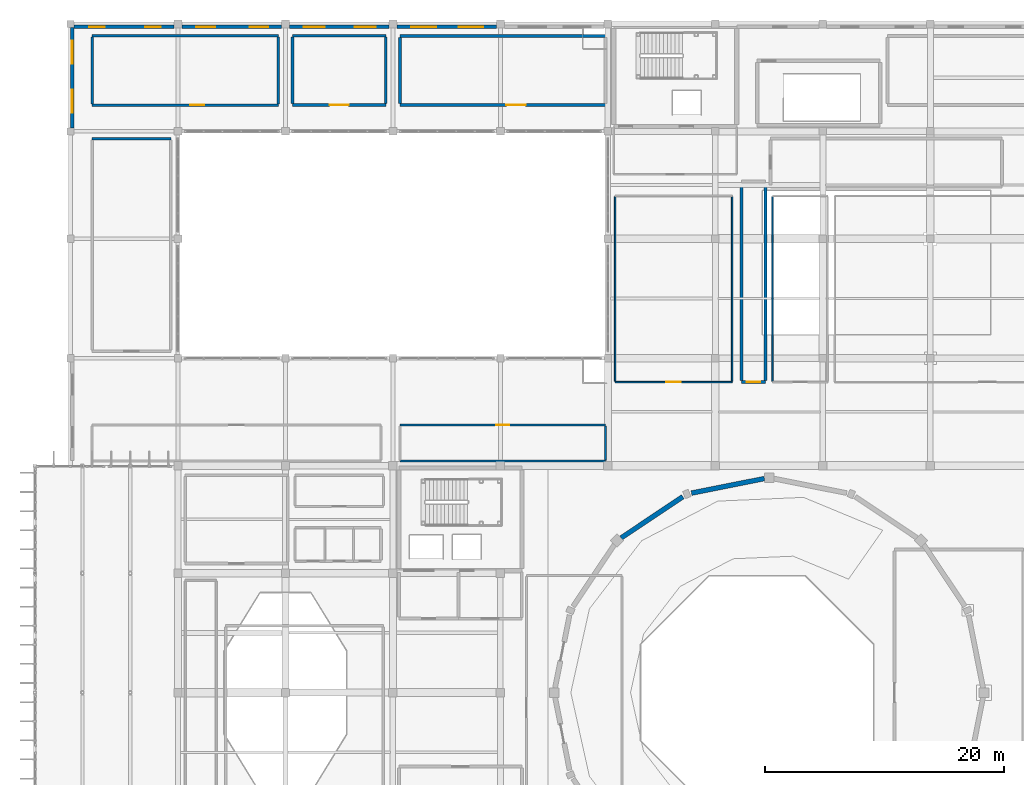
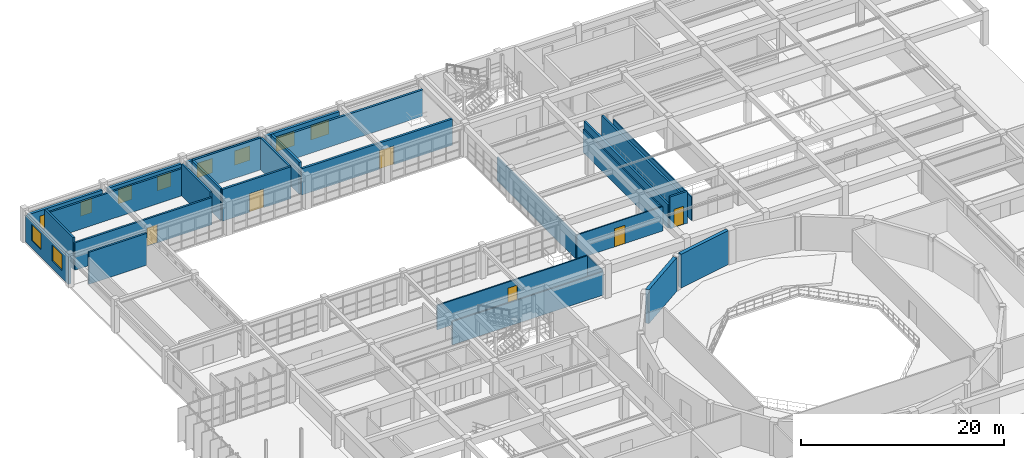
# One storey, part 97 of 110: 29 walls, 10 windows, 6 doors, 16 openings.
"""IFC4 building model written with IfcOpenShell, lengths in metres."""

from ifc_helpers import new_model, si_unit, direction, frame, frame_2d, origin, place, context, subcontext, project, spatial, rectangle, extrude, material, layer, layer_set, type_object, element, fill, save


model = new_model("IFC4")

# Units and contexts
model_context = context("Model", 3, precision=1e-05, world=origin(), true_north=direction((0.0, 1.0)))
body_context = subcontext(model_context, "Body", "Model", "MODEL_VIEW")
ifc_project = project(units=[si_unit("LENGTHUNIT", "METRE"), si_unit("AREAUNIT", "SQUARE_METRE"), si_unit("VOLUMEUNIT", "CUBIC_METRE"), si_unit("PLANEANGLEUNIT", "RADIAN"), si_unit("MASSUNIT", "GRAM", prefix="KILO")], contexts=[model_context])

# Site, building, storey
site_placement = place(None, origin())
site = spatial("IfcSite", under=ifc_project, at=site_placement, CompositionType="ELEMENT")
building_placement = place(site_placement, origin())
building = spatial("IfcBuilding", under=site, at=building_placement, Name="Miravela Opera House", CompositionType="ELEMENT")
storey_placement = place(building_placement, frame((0.0, 0.0, 13.60009765625)))
storey = spatial("IfcBuildingStorey", under=building, at=storey_placement, Name="L03", CompositionType="ELEMENT", Elevation=13.60009765625)

# Wall, openings, windows
ifc_material_1 = material(Name="Insulated cream lime-stuccoed masonry", Category="masonry")
ifc_layer_1 = layer(ifc_material_1, 0.2900390625)
ifc_layer_set_1 = layer_set([ifc_layer_1])
wall_type_1 = type_object("IfcWallType", Name="ARC-EW-STUCCO-290", PredefinedType="STANDARD", material=ifc_layer_set_1)
wall_1_placement = place(storey_placement, frame((18.300048828125, 111.75, 0.0), z_axis=(0.0, 0.0, 1.0), x_axis=(1.0, 0.0, 0.0)))
wall_1 = element("IfcWall", 1, at=wall_1_placement, inside=storey, type_object=wall_type_1, Name="Spanish Colonial Stucco Facade Wall L03-033", PredefinedType="STANDARD", context=body_context, shape_type="SweptSolid", body=[
    extrude(rectangle(XDim=8.375, YDim=0.2900390625, at=frame_2d((4.1875, 0.0))), origin(), (0.0, 0.0, 1.0), 3.27685546875),
])
opening_1_placement = place(wall_1_placement, frame((1.25, 0.0, 0.89990234375)))
opening_1 = element("IfcOpeningElement", 2, at=opening_1_placement, cuts=wall_1, Name="Opening W-30", PredefinedType="OPENING", context=body_context, shape_type="SweptSolid", body=[
    extrude(rectangle(XDim=1.300048828125, YDim=1.719970703125, at=frame_2d((0.64990234375, 0.85986328125))), frame((0.0, 0.155029296875, 0.0), z_axis=(0.0, -1.0, 0.0), x_axis=(1.0, 0.0, 0.0)), (0.0, 0.0, 1.0), 0.31005859375),
])
opening_2_placement = place(wall_1_placement, frame((5.97509765625, 0.0, 0.89990234375)))
opening_2 = element("IfcOpeningElement", 3, at=opening_2_placement, cuts=wall_1, Name="Opening W-30", PredefinedType="OPENING", context=body_context, shape_type="SweptSolid", body=[
    extrude(rectangle(XDim=1.300048828125, YDim=1.719970703125, at=frame_2d((0.64990234375, 0.85986328125))), frame((0.0, 0.155029296875, 0.0), z_axis=(0.0, -1.0, 0.0), x_axis=(1.0, 0.0, 0.0)), (0.0, 0.0, 1.0), 0.31005859375),
])
ifc_material_2 = material(Name="Bronze-anodised aluminium and acoustic low-E glass", Category="aluminium")
window_type_1 = type_object("IfcWindowType", Name="ARC-WIN-30", PartitioningType="SINGLE_PANEL", PredefinedType="WINDOW", material=ifc_material_2)
window_1_placement = place(opening_1_placement, origin())
window_1 = element("IfcWindow", 4, at=window_1_placement, inside=storey, type_object=window_type_1, Name="Window W-30 #087", OverallHeight=1.719970703125, OverallWidth=1.300048828125, PartitioningType="SINGLE_PANEL", PredefinedType="WINDOW", context=body_context, shape_type="SweptSolid", body=[
    extrude(rectangle(XDim=1.300048828125, YDim=1.719970703125, at=frame_2d((0.64990234375, 0.85986328125))), frame((0.0, 0.030029296875, 0.0), z_axis=(0.0, -1.0, 0.0), x_axis=(1.0, 0.0, 0.0)), (0.0, 0.0, 1.0), 0.06005859375),
])
fill(opening_1, window_1)
window_2_placement = place(opening_2_placement, origin())
window_2 = element("IfcWindow", 5, at=window_2_placement, inside=storey, type_object=window_type_1, Name="Window W-30 #088", OverallHeight=1.719970703125, OverallWidth=1.300048828125, PartitioningType="SINGLE_PANEL", PredefinedType="WINDOW", context=body_context, shape_type="SweptSolid", body=[
    extrude(rectangle(XDim=1.300048828125, YDim=1.719970703125, at=frame_2d((0.64990234375, 0.85986328125))), frame((0.0, 0.030029296875, 0.0), z_axis=(0.0, -1.0, 0.0), x_axis=(1.0, 0.0, 0.0)), (0.0, 0.0, 1.0), 0.06005859375),
])
fill(opening_2, window_2)

wall_2_placement = place(storey_placement, frame((27.324951171875, 111.75, 0.0), z_axis=(0.0, 0.0, 1.0), x_axis=(1.0, 0.0, 0.0)))
wall_2 = element("IfcWall", 6, at=wall_2_placement, inside=storey, type_object=wall_type_1, Name="Spanish Colonial Stucco Facade Wall L03-034", PredefinedType="STANDARD", context=body_context, shape_type="SweptSolid", body=[
    extrude(rectangle(XDim=8.35009765625, YDim=0.2900390625, at=frame_2d((4.175048828125, 0.0))), origin(), (0.0, 0.0, 1.0), 3.27685546875),
])
opening_3_placement = place(wall_2_placement, frame((1.22509765625, 0.0, 0.89990234375)))
opening_3 = element("IfcOpeningElement", 7, at=opening_3_placement, cuts=wall_2, Name="Opening W-31", PredefinedType="OPENING", context=body_context, shape_type="SweptSolid", body=[
    extrude(rectangle(XDim=1.56005859375, YDim=1.719970703125, at=frame_2d((0.780029296875, 0.85986328125))), frame((0.0, 0.155029296875, 0.0), z_axis=(0.0, -1.0, 0.0), x_axis=(1.0, 0.0, 0.0)), (0.0, 0.0, 1.0), 0.31005859375),
])
opening_4_placement = place(wall_2_placement, frame((5.68994140625, 0.0, 0.89990234375)))
opening_4 = element("IfcOpeningElement", 8, at=opening_4_placement, cuts=wall_2, Name="Opening W-31", PredefinedType="OPENING", context=body_context, shape_type="SweptSolid", body=[
    extrude(rectangle(XDim=1.56005859375, YDim=1.719970703125, at=frame_2d((0.780029296875, 0.85986328125))), frame((0.0, 0.155029296875, 0.0), z_axis=(0.0, -1.0, 0.0), x_axis=(1.0, 0.0, 0.0)), (0.0, 0.0, 1.0), 0.31005859375),
])
window_type_2 = type_object("IfcWindowType", Name="ARC-WIN-31", PartitioningType="DOUBLE_PANEL_VERTICAL", PredefinedType="WINDOW", material=ifc_material_2)
window_3_placement = place(opening_3_placement, origin())
window_3 = element("IfcWindow", 9, at=window_3_placement, inside=storey, type_object=window_type_2, Name="Window W-31 #089", OverallHeight=1.719970703125, OverallWidth=1.56005859375, PartitioningType="DOUBLE_PANEL_VERTICAL", PredefinedType="WINDOW", context=body_context, shape_type="SweptSolid", body=[
    extrude(rectangle(XDim=1.56005859375, YDim=1.719970703125, at=frame_2d((0.780029296875, 0.85986328125))), frame((0.0, 0.030029296875, 0.0), z_axis=(0.0, -1.0, 0.0), x_axis=(1.0, 0.0, 0.0)), (0.0, 0.0, 1.0), 0.06005859375),
])
fill(opening_3, window_3)
window_4_placement = place(opening_4_placement, origin())
window_4 = element("IfcWindow", 10, at=window_4_placement, inside=storey, type_object=window_type_2, Name="Window W-31 #090", OverallHeight=1.719970703125, OverallWidth=1.56005859375, PartitioningType="DOUBLE_PANEL_VERTICAL", PredefinedType="WINDOW", context=body_context, shape_type="SweptSolid", body=[
    extrude(rectangle(XDim=1.56005859375, YDim=1.719970703125, at=frame_2d((0.780029296875, 0.85986328125))), frame((0.0, 0.030029296875, 0.0), z_axis=(0.0, -1.0, 0.0), x_axis=(1.0, 0.0, 0.0)), (0.0, 0.0, 1.0), 0.06005859375),
])
fill(opening_4, window_4)

wall_3_placement = place(storey_placement, frame((36.324951171875, 111.75, 0.0), z_axis=(0.0, 0.0, 1.0), x_axis=(1.0, 0.0, 0.0)))
wall_3 = element("IfcWall", 11, at=wall_3_placement, inside=storey, type_object=wall_type_1, Name="Spanish Colonial Stucco Facade Wall L03-035", PredefinedType="STANDARD", context=body_context, shape_type="SweptSolid", body=[
    extrude(rectangle(XDim=8.35009765625, YDim=0.2900390625, at=frame_2d((4.175048828125, 0.0))), origin(), (0.0, 0.0, 1.0), 3.27685546875),
])
opening_5_placement = place(wall_3_placement, frame((1.22509765625, 0.0, 0.89990234375)))
opening_5 = element("IfcOpeningElement", 12, at=opening_5_placement, cuts=wall_3, Name="Opening W-32", PredefinedType="OPENING", context=body_context, shape_type="SweptSolid", body=[
    extrude(rectangle(XDim=1.760009765625, YDim=1.719970703125, at=frame_2d((0.8798828125, 0.85986328125))), frame((0.0, 0.155029296875, 0.0), z_axis=(0.0, -1.0, 0.0), x_axis=(1.0, 0.0, 0.0)), (0.0, 0.0, 1.0), 0.31005859375),
])
opening_6_placement = place(wall_3_placement, frame((5.489990234375, 0.0, 0.89990234375)))
opening_6 = element("IfcOpeningElement", 13, at=opening_6_placement, cuts=wall_3, Name="Opening W-32", PredefinedType="OPENING", context=body_context, shape_type="SweptSolid", body=[
    extrude(rectangle(XDim=1.760009765625, YDim=1.719970703125, at=frame_2d((0.8798828125, 0.85986328125))), frame((0.0, 0.155029296875, 0.0), z_axis=(0.0, -1.0, 0.0), x_axis=(1.0, 0.0, 0.0)), (0.0, 0.0, 1.0), 0.31005859375),
])
window_type_3 = type_object("IfcWindowType", Name="ARC-WIN-32", PartitioningType="DOUBLE_PANEL_VERTICAL", PredefinedType="WINDOW", material=ifc_material_2)
window_5_placement = place(opening_5_placement, origin())
window_5 = element("IfcWindow", 14, at=window_5_placement, inside=storey, type_object=window_type_3, Name="Window W-32 #091", OverallHeight=1.719970703125, OverallWidth=1.760009765625, PartitioningType="DOUBLE_PANEL_VERTICAL", PredefinedType="WINDOW", context=body_context, shape_type="SweptSolid", body=[
    extrude(rectangle(XDim=1.760009765625, YDim=1.719970703125, at=frame_2d((0.8798828125, 0.85986328125))), frame((0.0, 0.030029296875, 0.0), z_axis=(0.0, -1.0, 0.0), x_axis=(1.0, 0.0, 0.0)), (0.0, 0.0, 1.0), 0.06005859375),
])
fill(opening_5, window_5)
window_6_placement = place(opening_6_placement, origin())
window_6 = element("IfcWindow", 15, at=window_6_placement, inside=storey, type_object=window_type_3, Name="Window W-32 #092", OverallHeight=1.719970703125, OverallWidth=1.760009765625, PartitioningType="DOUBLE_PANEL_VERTICAL", PredefinedType="WINDOW", context=body_context, shape_type="SweptSolid", body=[
    extrude(rectangle(XDim=1.760009765625, YDim=1.719970703125, at=frame_2d((0.8798828125, 0.85986328125))), frame((0.0, 0.030029296875, 0.0), z_axis=(0.0, -1.0, 0.0), x_axis=(1.0, 0.0, 0.0)), (0.0, 0.0, 1.0), 0.06005859375),
])
fill(opening_6, window_6)

wall_4_placement = place(storey_placement, frame((45.324951171875, 111.75, 0.0), z_axis=(0.0, 0.0, 1.0), x_axis=(1.0, 0.0, 0.0)))
wall_4 = element("IfcWall", 16, at=wall_4_placement, inside=storey, type_object=wall_type_1, Name="Spanish Colonial Stucco Facade Wall L03-036", PredefinedType="STANDARD", context=body_context, shape_type="SweptSolid", body=[
    extrude(rectangle(XDim=8.35009765625, YDim=0.2900390625, at=frame_2d((4.175048828125, 0.0))), origin(), (0.0, 0.0, 1.0), 3.27685546875),
])
opening_7_placement = place(wall_4_placement, frame((1.22509765625, 0.0, 0.89990234375)))
opening_7 = element("IfcOpeningElement", 17, at=opening_7_placement, cuts=wall_4, Name="Opening W-33", PredefinedType="OPENING", context=body_context, shape_type="SweptSolid", body=[
    extrude(rectangle(XDim=2.06005859375, YDim=1.719970703125, at=frame_2d((1.030029296875, 0.85986328125))), frame((0.0, 0.155029296875, 0.0), z_axis=(0.0, -1.0, 0.0), x_axis=(1.0, 0.0, 0.0)), (0.0, 0.0, 1.0), 0.31005859375),
])
opening_8_placement = place(wall_4_placement, frame((5.18994140625, 0.0, 0.89990234375)))
opening_8 = element("IfcOpeningElement", 18, at=opening_8_placement, cuts=wall_4, Name="Opening W-33", PredefinedType="OPENING", context=body_context, shape_type="SweptSolid", body=[
    extrude(rectangle(XDim=2.06005859375, YDim=1.719970703125, at=frame_2d((1.030029296875, 0.85986328125))), frame((0.0, 0.155029296875, 0.0), z_axis=(0.0, -1.0, 0.0), x_axis=(1.0, 0.0, 0.0)), (0.0, 0.0, 1.0), 0.31005859375),
])
window_type_4 = type_object("IfcWindowType", Name="ARC-WIN-33", PartitioningType="DOUBLE_PANEL_VERTICAL", PredefinedType="WINDOW", material=ifc_material_2)
window_7_placement = place(opening_7_placement, origin())
window_7 = element("IfcWindow", 19, at=window_7_placement, inside=storey, type_object=window_type_4, Name="Window W-33 #093", OverallHeight=1.719970703125, OverallWidth=2.06005859375, PartitioningType="DOUBLE_PANEL_VERTICAL", PredefinedType="WINDOW", context=body_context, shape_type="SweptSolid", body=[
    extrude(rectangle(XDim=2.06005859375, YDim=1.719970703125, at=frame_2d((1.030029296875, 0.85986328125))), frame((0.0, 0.030029296875, 0.0), z_axis=(0.0, -1.0, 0.0), x_axis=(1.0, 0.0, 0.0)), (0.0, 0.0, 1.0), 0.06005859375),
])
fill(opening_7, window_7)
window_8_placement = place(opening_8_placement, origin())
window_8 = element("IfcWindow", 20, at=window_8_placement, inside=storey, type_object=window_type_4, Name="Window W-33 #094", OverallHeight=1.719970703125, OverallWidth=2.06005859375, PartitioningType="DOUBLE_PANEL_VERTICAL", PredefinedType="WINDOW", context=body_context, shape_type="SweptSolid", body=[
    extrude(rectangle(XDim=2.06005859375, YDim=1.719970703125, at=frame_2d((1.030029296875, 0.85986328125))), frame((0.0, 0.030029296875, 0.0), z_axis=(0.0, -1.0, 0.0), x_axis=(1.0, 0.0, 0.0)), (0.0, 0.0, 1.0), 0.06005859375),
])
fill(opening_8, window_8)

wall_5_placement = place(storey_placement, frame((18.14990234375, 103.300048828125, 0.0), z_axis=(0.0, 0.0, 1.0), x_axis=(0.0, 1.0, 0.0)))
wall_5 = element("IfcWall", 21, at=wall_5_placement, inside=storey, type_object=wall_type_1, Name="Spanish Colonial Stucco Facade Wall L03-047", PredefinedType="STANDARD", context=body_context, shape_type="SweptSolid", body=[
    extrude(rectangle(XDim=8.39990234375, YDim=0.2900390625, at=frame_2d((4.199951171875, 0.0))), origin(), (0.0, 0.0, 1.0), 3.27685546875),
])
opening_9_placement = place(wall_5_placement, frame((1.25, 0.0, 0.89990234375)))
opening_9 = element("IfcOpeningElement", 22, at=opening_9_placement, cuts=wall_5, Name="Opening W-18", PredefinedType="OPENING", context=body_context, shape_type="SweptSolid", body=[
    extrude(rectangle(XDim=1.949951171875, YDim=1.949951171875, at=frame_2d((0.97509765625, 0.97509765625))), frame((0.0, 0.155029296875, 0.0), z_axis=(0.0, -1.0, 0.0), x_axis=(1.0, 0.0, 0.0)), (0.0, 0.0, 1.0), 0.31005859375),
])
opening_10_placement = place(wall_5_placement, frame((5.35009765625, 0.0, 0.89990234375)))
opening_10 = element("IfcOpeningElement", 23, at=opening_10_placement, cuts=wall_5, Name="Opening W-18", PredefinedType="OPENING", context=body_context, shape_type="SweptSolid", body=[
    extrude(rectangle(XDim=1.949951171875, YDim=1.949951171875, at=frame_2d((0.97509765625, 0.97509765625))), frame((0.0, 0.155029296875, 0.0), z_axis=(0.0, -1.0, 0.0), x_axis=(1.0, 0.0, 0.0)), (0.0, 0.0, 1.0), 0.31005859375),
])
window_type_5 = type_object("IfcWindowType", Name="ARC-WIN-18", PartitioningType="DOUBLE_PANEL_VERTICAL", PredefinedType="WINDOW", material=ifc_material_2)
window_9_placement = place(opening_9_placement, origin())
window_9 = element("IfcWindow", 24, at=window_9_placement, inside=storey, type_object=window_type_5, Name="Window W-18 #114", OverallHeight=1.949951171875, OverallWidth=1.949951171875, PartitioningType="DOUBLE_PANEL_VERTICAL", PredefinedType="WINDOW", context=body_context, shape_type="SweptSolid", body=[
    extrude(rectangle(XDim=1.949951171875, YDim=1.949951171875, at=frame_2d((0.97509765625, 0.97509765625))), frame((0.0, 0.030029296875, 0.0), z_axis=(0.0, -1.0, 0.0), x_axis=(1.0, 0.0, 0.0)), (0.0, 0.0, 1.0), 0.06005859375),
])
fill(opening_9, window_9)
window_10_placement = place(opening_10_placement, origin())
window_10 = element("IfcWindow", 25, at=window_10_placement, inside=storey, type_object=window_type_5, Name="Window W-18 #115", OverallHeight=1.949951171875, OverallWidth=1.949951171875, PartitioningType="DOUBLE_PANEL_VERTICAL", PredefinedType="WINDOW", context=body_context, shape_type="SweptSolid", body=[
    extrude(rectangle(XDim=1.949951171875, YDim=1.949951171875, at=frame_2d((0.97509765625, 0.97509765625))), frame((0.0, 0.030029296875, 0.0), z_axis=(0.0, -1.0, 0.0), x_axis=(1.0, 0.0, 0.0)), (0.0, 0.0, 1.0), 0.06005859375),
])
fill(opening_10, window_10)

# Wall, opening, door
ifc_material_3 = material(Name="Fire-rated acoustic gypsum partition")
ifc_layer_2 = layer(ifc_material_3, 0.1298828125)
ifc_layer_set_2 = layer_set([ifc_layer_2])
wall_type_2 = type_object("IfcWallType", Name="ARC-PT-130", PredefinedType="PARTITIONING", material=ifc_layer_set_2)
wall_6_placement = place(storey_placement, frame((63.60009765625, 82.0, 0.0), z_axis=(0.0, 0.0, 1.0), x_axis=(1.0, 0.0, 0.0)))
wall_6 = element("IfcWall", 26, at=wall_6_placement, inside=storey, type_object=wall_type_2, Name="Junior Ballet Academy Rehearsal Studio Partition South", PredefinedType="PARTITIONING", context=body_context, shape_type="SweptSolid", body=[
    extrude(rectangle(XDim=9.7998046875, YDim=0.1298828125, at=frame_2d((4.89990234375, 0.0))), origin(), (0.0, 0.0, 1.0), 2.93994140625),
])
opening_11_placement = place(wall_6_placement, frame((4.300048828125, 0.0, 0.0)))
opening_11 = element("IfcOpeningElement", 27, at=opening_11_placement, cuts=wall_6, Name="Opening ID-04", PredefinedType="OPENING", context=body_context, shape_type="SweptSolid", body=[
    extrude(rectangle(XDim=1.199951171875, YDim=2.199951171875, at=frame_2d((0.60009765625, 1.10009765625))), frame((0.0, 0.074951171875, 0.0), z_axis=(0.0, -1.0, 0.0), x_axis=(1.0, 0.0, 0.0)), (0.0, 0.0, 1.0), 0.14990234375),
])
ifc_material_4 = material(Name="Wide acoustic ensemble door")
door_type_1 = type_object("IfcDoorType", Name="ARC-DR-1200X2200", OperationType="NOTDEFINED", PredefinedType="DOOR", material=ifc_material_4)
door_1_placement = place(opening_11_placement, frame((1.199951171875, 0.0, 0.0), z_axis=(0.0, 0.0, 1.0), x_axis=(-1.0, 0.0, 0.0)))
door_1 = element("IfcDoor", 28, at=door_1_placement, inside=storey, type_object=door_type_1, Name="Junior Ballet Academy Rehearsal Studio Entry Door IDR-L03-0288", OperationType="SINGLE_SWING_LEFT", OverallHeight=2.199951171875, OverallWidth=1.199951171875, PredefinedType="DOOR", context=body_context, shape_type="SweptSolid", body=[
    extrude(rectangle(XDim=1.199951171875, YDim=2.199951171875, at=frame_2d((0.60009765625, 1.10009765625))), frame((0.0, 0.02490234375, 0.0), z_axis=(0.0, -1.0, 0.0), x_axis=(1.0, 0.0, 0.0)), (0.0, 0.0, 1.0), 0.050048828125),
])
fill(opening_11, door_1)

# Walls
wall_7_placement = place(storey_placement, frame((63.60009765625, 82.06494140625, 0.0), z_axis=(0.0, 0.0, 1.0), x_axis=(0.0, 1.0, 0.0)))
element("IfcWall", 29, at=wall_7_placement, inside=storey, type_object=wall_type_2, Name="Junior Ballet Academy Rehearsal Studio Partition West", PredefinedType="PARTITIONING", context=body_context, shape_type="SweptSolid", body=[
    extrude(rectangle(XDim=15.469970703125, YDim=0.1298828125, at=frame_2d((7.73486328125, 0.0))), origin(), (0.0, 0.0, 1.0), 2.919921875),
])
for number, where, z_axis, x_axis, name in (
    (30, (73.39990234375, 82.06494140625, 0.0), (0.0, 0.0, 1.0), (0.0, 1.0, 0.0), "Junior Ballet Academy Rehearsal Studio Partition East"),
    (31, (76.800048828125, 82.06494140625, 0.0), (0.0, 0.0, 1.0), (0.0, 1.0, 0.0), "Costume Textile Archive Room Partition West"),
):
    element("IfcWall", number, at=place(storey_placement, frame(where, z_axis=z_axis, x_axis=x_axis)), inside=storey, type_object=wall_type_2, Name=name, PredefinedType="PARTITIONING", context=body_context, shape_type="SweptSolid", body=[
        extrude(rectangle(XDim=15.469970703125, YDim=0.1298828125, at=frame_2d((7.73486328125, 0.0))), origin(), (0.0, 0.0, 1.0), 2.81982421875),
    ])
ifc_material_5 = material(Name="Studio double-stud acoustic partition")
ifc_layer_3 = layer(ifc_material_5, 0.14990234375)
ifc_layer_set_3 = layer_set([ifc_layer_3])
wall_type_3 = type_object("IfcWallType", Name="ARC-PT-145", PredefinedType="PARTITIONING", material=ifc_layer_set_3)
wall_8_placement = place(storey_placement, frame((45.60009765625, 75.39990234375, 0.0), z_axis=(0.0, 0.0, 1.0), x_axis=(1.0, 0.0, 0.0)))
element("IfcWall", 32, at=wall_8_placement, inside=storey, type_object=wall_type_3, Name="Historical Stage Design Gallery Partition South", PredefinedType="PARTITIONING", context=body_context, shape_type="SweptSolid", body=[
    extrude(rectangle(XDim=17.199951171875, YDim=0.14990234375, at=frame_2d((8.60009765625, 0.0))), origin(), (0.0, 0.0, 1.0), 2.81982421875),
])

# Wall, opening, door
wall_9_placement = place(storey_placement, frame((45.60009765625, 78.39990234375, 0.0), z_axis=(0.0, 0.0, 1.0), x_axis=(1.0, 0.0, 0.0)))
wall_9 = element("IfcWall", 33, at=wall_9_placement, inside=storey, type_object=wall_type_3, Name="Historical Stage Design Gallery Partition North", PredefinedType="PARTITIONING", context=body_context, shape_type="SweptSolid", body=[
    extrude(rectangle(XDim=17.199951171875, YDim=0.14990234375, at=frame_2d((8.60009765625, 0.0))), origin(), (0.0, 0.0, 1.0), 2.93994140625),
])
opening_12_placement = place(wall_9_placement, frame((8.050048828125, 0.0, 0.0)))
opening_12 = element("IfcOpeningElement", 34, at=opening_12_placement, cuts=wall_9, Name="Opening ID-03", PredefinedType="OPENING", context=body_context, shape_type="SweptSolid", body=[
    extrude(rectangle(XDim=1.10009765625, YDim=2.199951171875, at=frame_2d((0.550048828125, 1.10009765625))), frame((0.0, 0.0849609375, 0.0), z_axis=(0.0, -1.0, 0.0), x_axis=(1.0, 0.0, 0.0)), (0.0, 0.0, 1.0), 0.169921875),
])
ifc_material_6 = material(Name="Acoustic hardwood studio door", Category="wood")
door_type_2 = type_object("IfcDoorType", Name="ARC-DR-1100X2200", OperationType="NOTDEFINED", PredefinedType="DOOR", material=ifc_material_6)
door_2_placement = place(opening_12_placement, origin())
door_2 = element("IfcDoor", 35, at=door_2_placement, inside=storey, type_object=door_type_2, Name="Historical Stage Design Gallery Entry Door IDR-L03-0298", OperationType="SINGLE_SWING_LEFT", OverallHeight=2.199951171875, OverallWidth=1.10009765625, PredefinedType="DOOR", context=body_context, shape_type="SweptSolid", body=[
    extrude(rectangle(XDim=1.10009765625, YDim=2.199951171875, at=frame_2d((0.550048828125, 1.10009765625))), frame((0.0, 0.02490234375, 0.0), z_axis=(0.0, -1.0, 0.0), x_axis=(1.0, 0.0, 0.0)), (0.0, 0.0, 1.0), 0.050048828125),
])
fill(opening_12, door_2)

# Wall
wall_10_placement = place(storey_placement, frame((62.800048828125, 75.47509765625, 0.0), z_axis=(0.0, 0.0, 1.0), x_axis=(0.0, 1.0, 0.0)))
element("IfcWall", 36, at=wall_10_placement, inside=storey, type_object=wall_type_3, Name="Historical Stage Design Gallery Partition East", PredefinedType="PARTITIONING", context=body_context, shape_type="SweptSolid", body=[
    extrude(rectangle(XDim=2.849853515625, YDim=0.14990234375, at=frame_2d((1.4248046875, 0.0))), origin(), (0.0, 0.0, 1.0), 2.93994140625),
])

# Wall, opening, door
ifc_material_7 = material(Name="High-STC auditorium lobby partition")
ifc_layer_4 = layer(ifc_material_7, 0.22998046875)
ifc_layer_set_4 = layer_set([ifc_layer_4])
wall_type_4 = type_object("IfcWallType", Name="ARC-PT-205", PredefinedType="PARTITIONING", material=ifc_layer_set_4)
wall_11_placement = place(storey_placement, frame((36.60009765625, 105.199951171875, 0.0), z_axis=(0.0, 0.0, 1.0), x_axis=(1.0, 0.0, 0.0)))
wall_11 = element("IfcWall", 37, at=wall_11_placement, inside=storey, type_object=wall_type_4, Name="Principal Ballet Rehearsal Studio 1 Partition South", PredefinedType="PARTITIONING", context=body_context, shape_type="SweptSolid", body=[
    extrude(rectangle(XDim=7.7998046875, YDim=0.22998046875, at=frame_2d((3.89990234375, 0.0))), origin(), (0.0, 0.0, 1.0), 3.83984375),
])
opening_13_placement = place(wall_11_placement, frame((3.10009765625, 0.0, 0.0)))
opening_13 = element("IfcOpeningElement", 38, at=opening_13_placement, cuts=wall_11, Name="Opening ID-06", PredefinedType="OPENING", context=body_context, shape_type="SweptSolid", body=[
    extrude(rectangle(XDim=1.60009765625, YDim=2.25, at=frame_2d((0.800048828125, 1.125))), frame((0.0, 0.125, 0.0), z_axis=(0.0, -1.0, 0.0), x_axis=(1.0, 0.0, 0.0)), (0.0, 0.0, 1.0), 0.25),
])
ifc_material_8 = material(Name="Double-leaf acoustic studio/salon pair")
door_type_3 = type_object("IfcDoorType", Name="ARC-DR-1600X2250", OperationType="NOTDEFINED", PredefinedType="DOOR", material=ifc_material_8)
door_3_placement = place(opening_13_placement, origin())
door_3 = element("IfcDoor", 39, at=door_3_placement, inside=storey, type_object=door_type_3, Name="Principal Ballet Rehearsal Studio 1 Entry Door IDR-L03-0274", OperationType="DOUBLE_DOOR_SINGLE_SWING", OverallHeight=2.25, OverallWidth=1.60009765625, PredefinedType="DOOR", context=body_context, shape_type="SweptSolid", body=[
    extrude(rectangle(XDim=1.60009765625, YDim=2.25, at=frame_2d((0.800048828125, 1.125))), frame((0.0, 0.02490234375, 0.0), z_axis=(0.0, -1.0, 0.0), x_axis=(1.0, 0.0, 0.0)), (0.0, 0.0, 1.0), 0.050048828125),
])
fill(opening_13, door_3)

# Walls
wall_12_placement = place(storey_placement, frame((36.60009765625, 111.0, 0.0), z_axis=(0.0, 0.0, 1.0), x_axis=(1.0, 0.0, 0.0)))
element("IfcWall", 40, at=wall_12_placement, inside=storey, type_object=wall_type_4, Name="Principal Ballet Rehearsal Studio 1 Partition North", PredefinedType="PARTITIONING", context=body_context, shape_type="SweptSolid", body=[
    extrude(rectangle(XDim=7.7998046875, YDim=0.22998046875, at=frame_2d((3.89990234375, 0.0))), origin(), (0.0, 0.0, 1.0), 3.83984375),
])
for number, where, z_axis, x_axis, name in (
    (41, (36.60009765625, 105.31494140625, 0.0), (0.0, 0.0, 1.0), (0.0, 1.0, 0.0), "Principal Ballet Rehearsal Studio 1 Partition West"),
    (42, (44.39990234375, 105.31494140625, 0.0), (0.0, 0.0, 1.0), (0.0, 1.0, 0.0), "Principal Ballet Rehearsal Studio 1 Partition East"),
):
    element("IfcWall", number, at=place(storey_placement, frame(where, z_axis=z_axis, x_axis=x_axis)), inside=storey, type_object=wall_type_4, Name=name, PredefinedType="PARTITIONING", context=body_context, shape_type="SweptSolid", body=[
        extrude(rectangle(XDim=5.570068359375, YDim=0.22998046875, at=frame_2d((2.78515625, 0.0))), origin(), (0.0, 0.0, 1.0), 3.83984375),
    ])

# Wall, opening, door
wall_13_placement = place(storey_placement, frame((74.199951171875, 82.0, 0.0), z_axis=(0.0, 0.0, 1.0), x_axis=(1.0, 0.0, 0.0)))
wall_13 = element("IfcWall", 43, at=wall_13_placement, inside=storey, type_object=wall_type_4, Name="Orchestral Parts Editing Office Partition South", PredefinedType="PARTITIONING", context=body_context, shape_type="SweptSolid", body=[
    extrude(rectangle(XDim=2.0, YDim=0.22998046875, at=frame_2d((1.0, 0.0))), origin(), (0.0, 0.0, 1.0), 3.83984375),
])
opening_14_placement = place(wall_13_placement, frame((0.449951171875, 0.0, 0.0)))
opening_14 = element("IfcOpeningElement", 44, at=opening_14_placement, cuts=wall_13, Name="Opening ID-03", PredefinedType="OPENING", context=body_context, shape_type="SweptSolid", body=[
    extrude(rectangle(XDim=1.10009765625, YDim=2.199951171875, at=frame_2d((0.550048828125, 1.10009765625))), frame((0.0, 0.125, 0.0), z_axis=(0.0, -1.0, 0.0), x_axis=(1.0, 0.0, 0.0)), (0.0, 0.0, 1.0), 0.25),
])
door_4_placement = place(opening_14_placement, frame((1.10009765625, 0.0, 0.0), z_axis=(0.0, 0.0, 1.0), x_axis=(-1.0, 0.0, 0.0)))
door_4 = element("IfcDoor", 45, at=door_4_placement, inside=storey, type_object=door_type_2, Name="Orchestral Parts Editing Office Entry Door IDR-L03-0283", OperationType="SINGLE_SWING_RIGHT", OverallHeight=2.199951171875, OverallWidth=1.10009765625, PredefinedType="DOOR", context=body_context, shape_type="SweptSolid", body=[
    extrude(rectangle(XDim=1.10009765625, YDim=2.199951171875, at=frame_2d((0.550048828125, 1.10009765625))), frame((0.0, 0.02490234375, 0.0), z_axis=(0.0, -1.0, 0.0), x_axis=(1.0, 0.0, 0.0)), (0.0, 0.0, 1.0), 0.050048828125),
])
fill(opening_14, door_4)

# Walls
for number, where, z_axis, x_axis, name in (
    (46, (74.199951171875, 82.114990234375, 0.0), (0.0, 0.0, 1.0), (0.0, 1.0, 0.0), "Orchestral Parts Editing Office Partition West"),
    (47, (76.199951171875, 82.114990234375, 0.0), (0.0, 0.0, 1.0), (0.0, 1.0, 0.0), "Orchestral Parts Editing Office Partition East"),
):
    element("IfcWall", number, at=place(storey_placement, frame(where, z_axis=z_axis, x_axis=x_axis)), inside=storey, type_object=wall_type_4, Name=name, PredefinedType="PARTITIONING", context=body_context, shape_type="SweptSolid", body=[
        extrude(rectangle(XDim=16.570068359375, YDim=0.22998046875, at=frame_2d((8.28515625, 0.0))), origin(), (0.0, 0.0, 1.0), 2.81982421875),
    ])

# Wall, opening, door
ifc_material_9 = material(Name="Workshop fire-resisting block partition")
ifc_layer_5 = layer(ifc_material_9, 0.2099609375)
ifc_layer_set_5 = layer_set([ifc_layer_5])
wall_type_5 = type_object("IfcWallType", Name="ARC-PT-210", PredefinedType="PARTITIONING", material=ifc_layer_set_5)
wall_14_placement = place(storey_placement, frame((19.800048828125, 105.199951171875, 0.0), z_axis=(0.0, 0.0, 1.0), x_axis=(1.0, 0.0, 0.0)))
wall_14 = element("IfcWall", 48, at=wall_14_placement, inside=storey, type_object=wall_type_5, Name="Soloist Ballet Coaching Studio Partition South", PredefinedType="PARTITIONING", context=body_context, shape_type="SweptSolid", body=[
    extrude(rectangle(XDim=15.599853515625, YDim=0.2099609375, at=frame_2d((7.7998046875, 0.0))), origin(), (0.0, 0.0, 1.0), 3.27685546875),
])
opening_15_placement = place(wall_14_placement, frame((8.217041015625, 0.0, 0.0)))
opening_15 = element("IfcOpeningElement", 49, at=opening_15_placement, cuts=wall_14, Name="Opening ID-04", PredefinedType="OPENING", context=body_context, shape_type="SweptSolid", body=[
    extrude(rectangle(XDim=1.199951171875, YDim=2.199951171875, at=frame_2d((0.60009765625, 1.10009765625))), frame((0.0, 0.114990234375, 0.0), z_axis=(0.0, -1.0, 0.0), x_axis=(1.0, 0.0, 0.0)), (0.0, 0.0, 1.0), 0.22998046875),
])
door_5_placement = place(opening_15_placement, origin())
door_5 = element("IfcDoor", 50, at=door_5_placement, inside=storey, type_object=door_type_1, Name="Soloist Ballet Coaching Studio Entry Door IDR-L03-0273", OperationType="SINGLE_SWING_RIGHT", OverallHeight=2.199951171875, OverallWidth=1.199951171875, PredefinedType="DOOR", context=body_context, shape_type="SweptSolid", body=[
    extrude(rectangle(XDim=1.199951171875, YDim=2.199951171875, at=frame_2d((0.60009765625, 1.10009765625))), frame((0.0, 0.02490234375, 0.0), z_axis=(0.0, -1.0, 0.0), x_axis=(1.0, 0.0, 0.0)), (0.0, 0.0, 1.0), 0.050048828125),
])
fill(opening_15, door_5)

# Walls
wall_15_placement = place(storey_placement, frame((19.800048828125, 111.0, 0.0), z_axis=(0.0, 0.0, 1.0), x_axis=(1.0, 0.0, 0.0)))
element("IfcWall", 51, at=wall_15_placement, inside=storey, type_object=wall_type_5, Name="Soloist Ballet Coaching Studio Partition North", PredefinedType="PARTITIONING", context=body_context, shape_type="SweptSolid", body=[
    extrude(rectangle(XDim=15.599853515625, YDim=0.2099609375, at=frame_2d((7.7998046875, 0.0))), origin(), (0.0, 0.0, 1.0), 3.27685546875),
])
for number, where, z_axis, x_axis, name in (
    (52, (19.800048828125, 105.304931640625, 0.0), (0.0, 0.0, 1.0), (0.0, 1.0, 0.0), "Soloist Ballet Coaching Studio Partition West"),
    (53, (35.39990234375, 105.304931640625, 0.0), (0.0, 0.0, 1.0), (0.0, 1.0, 0.0), "Soloist Ballet Coaching Studio Partition East"),
):
    element("IfcWall", number, at=place(storey_placement, frame(where, z_axis=z_axis, x_axis=x_axis)), inside=storey, type_object=wall_type_5, Name=name, PredefinedType="PARTITIONING", context=body_context, shape_type="SweptSolid", body=[
        extrude(rectangle(XDim=5.590087890625, YDim=0.2099609375, at=frame_2d((2.794921875, 0.0))), origin(), (0.0, 0.0, 1.0), 3.83984375),
    ])
wall_16_placement = place(storey_placement, frame((19.800048828125, 102.39990234375, 0.0), z_axis=(0.0, 0.0, 1.0), x_axis=(1.0, 0.0, 0.0)))
element("IfcWall", 54, at=wall_16_placement, inside=storey, type_object=wall_type_5, Name="Dancer Warm-Up and Barre Studio Partition North", PredefinedType="PARTITIONING", context=body_context, shape_type="SweptSolid", body=[
    extrude(rectangle(XDim=6.599853515625, YDim=0.2099609375, at=frame_2d((3.2998046875, 0.0))), origin(), (0.0, 0.0, 1.0), 3.83984375),
])

# Wall, opening, door
ifc_material_10 = material(Name="Firefighting lobby compartment wall")
ifc_layer_6 = layer(ifc_material_10, 0.25)
ifc_layer_set_6 = layer_set([ifc_layer_6])
wall_type_6 = type_object("IfcWallType", Name="ARC-PT-220", PredefinedType="PARTITIONING", material=ifc_layer_set_6)
wall_17_placement = place(storey_placement, frame((45.60009765625, 105.199951171875, 0.0), z_axis=(0.0, 0.0, 1.0), x_axis=(1.0, 0.0, 0.0)))
wall_17 = element("IfcWall", 55, at=wall_17_placement, inside=storey, type_object=wall_type_6, Name="Corps de Ballet Sprung Studio 2 Partition South", PredefinedType="PARTITIONING", context=body_context, shape_type="SweptSolid", body=[
    extrude(rectangle(XDim=17.199951171875, YDim=0.25, at=frame_2d((8.60009765625, 0.0))), origin(), (0.0, 0.0, 1.0), 3.169921875),
])
opening_16_placement = place(wall_17_placement, frame((8.906982421875, 0.0, 0.0)))
opening_16 = element("IfcOpeningElement", 56, at=opening_16_placement, cuts=wall_17, Name="Opening ID-06", PredefinedType="OPENING", context=body_context, shape_type="SweptSolid", body=[
    extrude(rectangle(XDim=1.60009765625, YDim=2.25, at=frame_2d((0.800048828125, 1.125))), frame((0.0, 0.135009765625, 0.0), z_axis=(0.0, -1.0, 0.0), x_axis=(1.0, 0.0, 0.0)), (0.0, 0.0, 1.0), 0.27001953125),
])
door_6_placement = place(opening_16_placement, origin())
door_6 = element("IfcDoor", 57, at=door_6_placement, inside=storey, type_object=door_type_3, Name="Corps de Ballet Sprung Studio 2 Entry Door IDR-L03-0275", OperationType="DOUBLE_DOOR_SINGLE_SWING", OverallHeight=2.25, OverallWidth=1.60009765625, PredefinedType="DOOR", context=body_context, shape_type="SweptSolid", body=[
    extrude(rectangle(XDim=1.60009765625, YDim=2.25, at=frame_2d((0.800048828125, 1.125))), frame((0.0, 0.02490234375, 0.0), z_axis=(0.0, -1.0, 0.0), x_axis=(1.0, 0.0, 0.0)), (0.0, 0.0, 1.0), 0.050048828125),
])
fill(opening_16, door_6)

# Walls
wall_18_placement = place(storey_placement, frame((45.60009765625, 111.0, 0.0), z_axis=(0.0, 0.0, 1.0), x_axis=(1.0, 0.0, 0.0)))
element("IfcWall", 58, at=wall_18_placement, inside=storey, type_object=wall_type_6, Name="Corps de Ballet Sprung Studio 2 Partition North", PredefinedType="PARTITIONING", context=body_context, shape_type="SweptSolid", body=[
    extrude(rectangle(XDim=17.199951171875, YDim=0.25, at=frame_2d((8.60009765625, 0.0))), origin(), (0.0, 0.0, 1.0), 3.169921875),
])
wall_19_placement = place(storey_placement, frame((45.60009765625, 105.324951171875, 0.0), z_axis=(0.0, 0.0, 1.0), x_axis=(0.0, 1.0, 0.0)))
element("IfcWall", 59, at=wall_19_placement, inside=storey, type_object=wall_type_6, Name="Corps de Ballet Sprung Studio 2 Partition West", PredefinedType="PARTITIONING", context=body_context, shape_type="SweptSolid", body=[
    extrude(rectangle(XDim=5.550048828125, YDim=0.25, at=frame_2d((2.77490234375, 0.0))), origin(), (0.0, 0.0, 1.0), 3.83984375),
])
ifc_material_11 = material(Name="Concrete C40/50", Category="concrete")
ifc_layer_7 = layer(ifc_material_11, 0.39990234375)
ifc_layer_set_7 = layer_set([ifc_layer_7])
wall_type_7 = type_object("IfcWallType", Name="STR-WALL-DRUM-400", PredefinedType="SHEAR", material=ifc_layer_set_7)
wall_20_placement = place(storey_placement, frame((76.107666015625, 73.922119140625, 0.0), z_axis=(0.0, 0.0, 1.0), x_axis=(-0.980777834218, -0.195127752786, 0.0)))
element("IfcWall", 60, at=wall_20_placement, inside=storey, type_object=wall_type_7, Name="Auditorium Drum Shear Wall L03 Seg 5", PredefinedType="SHEAR", context=body_context, shape_type="SweptSolid", body=[
    extrude(rectangle(XDim=6.223388671875, YDim=0.39990234375, at=frame_2d((3.11181640625, 0.0))), origin(), (0.0, 0.0, 1.0), 4.079833984375),
])
wall_21_placement = place(storey_placement, frame((69.279052734375, 72.40771484375, 0.0), z_axis=(0.0, 0.0, 1.0), x_axis=(-0.831458341015, -0.555587101324, 0.0)))
element("IfcWall", 61, at=wall_21_placement, inside=storey, type_object=wall_type_7, Name="Auditorium Drum Shear Wall L03 Seg 6", PredefinedType="SHEAR", context=body_context, shape_type="SweptSolid", body=[
    extrude(rectangle(XDim=6.22314453125, YDim=0.39990234375, at=frame_2d((3.111572265625, 0.0))), origin(), (0.0, 0.0, 1.0), 4.079833984375),
])

save(model, "model.ifc")
